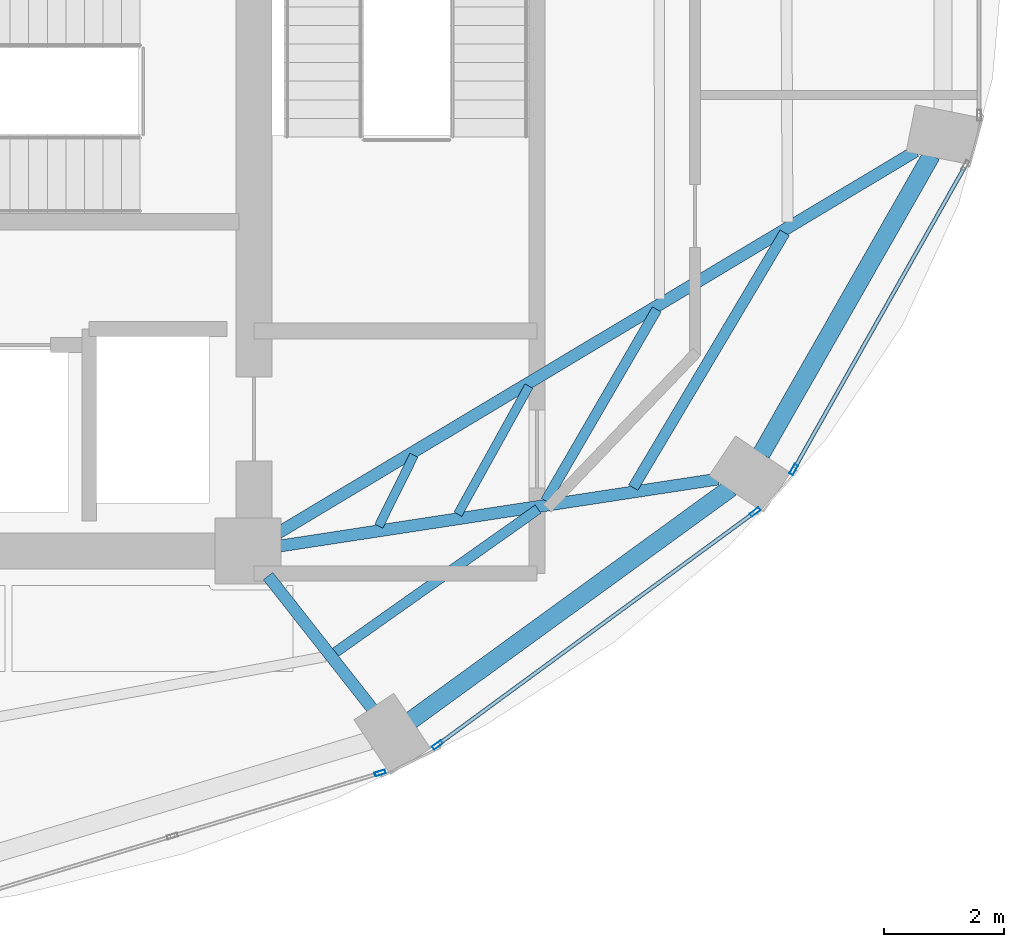
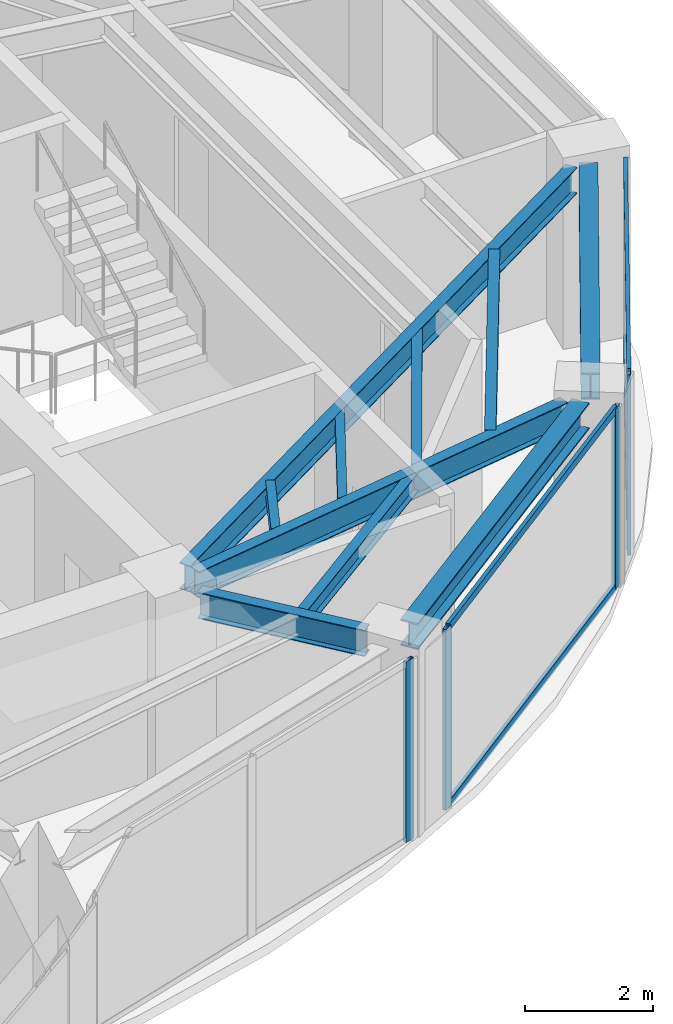
# One storey, part 13 of 23: 10 beams, 8 members, 3 elements without a shape of their own.
"""IFC4 building model written with IfcOpenShell, lengths in metres."""

from ifc_helpers import new_model, si_unit, direction, frame, origin, origin_2d, place, context, subcontext, project, spatial, hollow_rectangle, i_section, extrude, material, layer, layer_set, material_profile, profile_set, type_object, element, aggregate, save


model = new_model("IFC4")

# Units and contexts
model_context = context("Model", 3, precision=1e-05, world=origin(), true_north=direction((0.0, 1.0)))
body_context = subcontext(model_context, "Body", "Model", "MODEL_VIEW")
ifc_project = project(units=[si_unit("LENGTHUNIT", "METRE"), si_unit("AREAUNIT", "SQUARE_METRE"), si_unit("VOLUMEUNIT", "CUBIC_METRE"), si_unit("PLANEANGLEUNIT", "RADIAN"), si_unit("MASSUNIT", "GRAM", prefix="KILO")], contexts=[model_context])

# Site, building, storey
site_placement = place(None, origin())
site = spatial("IfcSite", under=ifc_project, at=site_placement, CompositionType="ELEMENT")
building_placement = place(site_placement, origin())
building = spatial("IfcBuilding", under=site, at=building_placement, Name="Lazwardi Medical Tower", CompositionType="ELEMENT")
storey_placement = place(building_placement, frame((0.0, 0.0, 209.424072265625)))
storey = spatial("IfcBuildingStorey", under=building, at=storey_placement, Name="L54", CompositionType="ELEMENT", Elevation=209.424072265625)

# Beams
ifc_material_1 = material(Name="Steel S355", Category="steel")
ifc_material_profile_1 = material_profile(ifc_material_1, i_section(OverallWidth=0.300048828125, OverallDepth=0.5, WebThickness=0.014404296875, FlangeThickness=0.028076171875, at=origin_2d()), Name="HEB 500")
ifc_profile_set_1 = profile_set([ifc_material_profile_1], Name="Steel S355")
beam_type_1 = type_object("IfcBeamType", Name="BM-RB-Z4", PredefinedType="BEAM", material=ifc_profile_set_1)
beam_1_placement = place(storey_placement, frame((48.31591796875, 17.5751953125, 3.197998046875), z_axis=(0.808889916254, 0.587960120571, 0.0), x_axis=(-0.587960120571, 0.808889916254, 0.0)))
element("IfcBeam", 1, at=beam_1_placement, inside=storey, type_object=beam_type_1, Name="Ring beam RB-05 B02 L54", PredefinedType="BEAM", context=body_context, shape_type="SweptSolid", body=[
    extrude(i_section(OverallWidth=0.300048828125, OverallDepth=0.5, WebThickness=0.014404296875, FlangeThickness=0.028076171875, at=origin_2d()), origin(), (0.0, 0.0, 1.0), 6.587158203125),
])
beam_2_placement = place(storey_placement, frame((54.15283203125, 22.016357421875, 3.197998046875), z_axis=(0.495125273299, 0.868821594886, 0.0), x_axis=(-0.868821594886, 0.495125273299, 0.0)))
element("IfcBeam", 2, at=beam_2_placement, inside=storey, type_object=beam_type_1, Name="Ring beam RB-05 B03 L54", PredefinedType="BEAM", context=body_context, shape_type="SweptSolid", body=[
    extrude(i_section(OverallWidth=0.300048828125, OverallDepth=0.5, WebThickness=0.014404296875, FlangeThickness=0.028076171875, at=origin_2d()), origin(), (0.0, 0.0, 1.0), 5.734130859375),
])
ifc_material_profile_2 = material_profile(ifc_material_1, i_section(OverallWidth=0.199951171875, OverallDepth=0.5, WebThickness=0.01025390625, FlangeThickness=0.01611328125, at=origin_2d()), Name="IPE 500")
ifc_profile_set_2 = profile_set([ifc_material_profile_2], Name="Steel S355")
beam_type_2 = type_object("IfcBeamType", Name="BM-RG-W3", PredefinedType="BEAM", material=ifc_profile_set_2)
beam_3_placement = place(storey_placement, frame((47.669677734375, 17.7666015625, 3.197998046875), z_axis=(-0.617890508382, 0.786264153864, 0.0), x_axis=(-0.786264153864, -0.617890508382, 0.0)))
element("IfcBeam", 3, at=beam_3_placement, inside=storey, type_object=beam_type_2, Name="Radial girder RG-04 R02 L54", PredefinedType="BEAM", context=body_context, shape_type="SweptSolid", body=[
    extrude(i_section(OverallWidth=0.199951171875, OverallDepth=0.5, WebThickness=0.01025390625, FlangeThickness=0.01611328125, at=origin_2d()), origin(), (0.0, 0.0, 1.0), 2.814453125),
])
beam_4_placement = place(storey_placement, frame((53.430908203125, 21.5966796875, 3.197998046875), z_axis=(-0.988522137285, -0.151076087115, 0.0), x_axis=(0.151076087115, -0.988522137285, 0.0)))
element("IfcBeam", 4, at=beam_4_placement, inside=storey, type_object=beam_type_2, Name="Radial girder RG-04 R03 L54", PredefinedType="BEAM", context=body_context, shape_type="SweptSolid", body=[
    extrude(i_section(OverallWidth=0.199951171875, OverallDepth=0.5, WebThickness=0.01025390625, FlangeThickness=0.01611328125, at=origin_2d()), origin(), (0.0, 0.0, 1.0), 7.38671875),
])
beam_5_placement = place(storey_placement, frame((56.72607421875, 27.062255859375, 3.197998046875), z_axis=(-0.857944804603, -0.513741873176, 0.0), x_axis=(0.513741873176, -0.857944804603, 0.0)))
element("IfcBeam", 5, at=beam_5_placement, inside=storey, type_object=beam_type_2, Name="Radial girder RG-04 R04 L54", PredefinedType="BEAM", context=body_context, shape_type="SweptSolid", body=[
    extrude(i_section(OverallWidth=0.199951171875, OverallDepth=0.5, WebThickness=0.01025390625, FlangeThickness=0.01611328125, at=origin_2d()), origin(), (0.0, 0.0, 1.0), 12.43310546875),
])
ifc_material_profile_3 = material_profile(ifc_material_1, i_section(OverallWidth=0.179931640625, OverallDepth=0.39990234375, WebThickness=0.008544921875, FlangeThickness=0.013427734375, at=origin_2d()), Name="IPE 400")
ifc_profile_set_3 = profile_set([ifc_material_profile_3], Name="Steel S355")
beam_type_3 = type_object("IfcBeamType", Name="BM-SJ-01", PredefinedType="JOIST", material=ifc_profile_set_3)
beam_6_placement = place(storey_placement, frame((52.01904296875, 21.455078125, 3.248046875), z_axis=(0.510967866251, 0.859599813668, 0.0), x_axis=(-0.859599813668, 0.510967866251, 0.0)))
element("IfcBeam", 6, at=beam_6_placement, inside=storey, type_object=beam_type_3, Name="Secondary joist SJ-01 R1 B03 L54", PredefinedType="JOIST", context=body_context, shape_type="SweptSolid", body=[
    extrude(i_section(OverallWidth=0.179931640625, OverallDepth=0.39990234375, WebThickness=0.008544921875, FlangeThickness=0.013427734375, at=origin_2d()), origin(), (0.0, 0.0, 1.0), 4.94189453125),
])
ifc_material_profile_4 = material_profile(ifc_material_1, i_section(OverallWidth=0.169921875, OverallDepth=0.360107421875, WebThickness=0.008056640625, FlangeThickness=0.0126953125, at=origin_2d()), Name="IPE 360")
ifc_profile_set_4 = profile_set([ifc_material_profile_4], Name="Steel S355")
beam_type_4 = type_object("IfcBeamType", Name="BM-SJ-02", PredefinedType="JOIST", material=ifc_profile_set_4)
beam_7_placement = place(storey_placement, frame((47.051513671875, 18.70654296875, 3.267822265625), z_axis=(0.816711190406, 0.577046645832, 0.0), x_axis=(-0.577046645832, 0.816711190406, 0.0)))
element("IfcBeam", 7, at=beam_7_placement, inside=storey, type_object=beam_type_4, Name="Secondary joist SJ-02 R2 B02 L54", PredefinedType="JOIST", context=body_context, shape_type="SweptSolid", body=[
    extrude(i_section(OverallWidth=0.169921875, OverallDepth=0.360107421875, WebThickness=0.008056640625, FlangeThickness=0.0126953125, at=origin_2d()), origin(), (0.0, 0.0, 1.0), 4.139892578125),
])
beam_8_placement = place(storey_placement, frame((50.5576171875, 21.232421875, 3.267822265625), z_axis=(0.50218018565, 0.864763008657, 0.0), x_axis=(-0.864763008657, 0.50218018565, 0.0)))
element("IfcBeam", 8, at=beam_8_placement, inside=storey, type_object=beam_type_4, Name="Secondary joist SJ-02 R2 B03 L54", PredefinedType="JOIST", context=body_context, shape_type="SweptSolid", body=[
    extrude(i_section(OverallWidth=0.169921875, OverallDepth=0.360107421875, WebThickness=0.008056640625, FlangeThickness=0.0126953125, at=origin_2d()), origin(), (0.0, 0.0, 1.0), 3.69189453125),
])
ifc_material_profile_5 = material_profile(ifc_material_1, i_section(OverallWidth=0.14990234375, OverallDepth=0.300048828125, WebThickness=0.007080078125, FlangeThickness=0.0107421875, at=origin_2d()), Name="IPE 300")
ifc_profile_set_5 = profile_set([ifc_material_profile_5], Name="Steel S355")
beam_type_5 = type_object("IfcBeamType", Name="BM-SJ-03", PredefinedType="JOIST", material=ifc_profile_set_5)
beam_9_placement = place(storey_placement, frame((49.095703125, 21.01025390625, 3.2978515625), z_axis=(0.484751625998, 0.874651851363, 0.0), x_axis=(-0.874651851363, 0.484751625998, 0.0)))
element("IfcBeam", 9, at=beam_9_placement, inside=storey, type_object=beam_type_5, Name="Secondary joist SJ-03 R3 B03 L54", PredefinedType="JOIST", context=body_context, shape_type="SweptSolid", body=[
    extrude(i_section(OverallWidth=0.14990234375, OverallDepth=0.300048828125, WebThickness=0.007080078125, FlangeThickness=0.0107421875, at=origin_2d()), origin(), (0.0, 0.0, 1.0), 2.442626953125),
])
beam_10_placement = place(storey_placement, frame((47.777587890625, 20.811279296875, 3.2978515625), z_axis=(0.443587297772, 0.89623116954, 0.0), x_axis=(-0.89623116954, 0.443587297772, 0.0)))
element("IfcBeam", 10, at=beam_10_placement, inside=storey, type_object=beam_type_5, Name="Secondary joist SJ-03 R4 B03 L54", PredefinedType="JOIST", context=body_context, shape_type="SweptSolid", body=[
    extrude(i_section(OverallWidth=0.14990234375, OverallDepth=0.300048828125, WebThickness=0.007080078125, FlangeThickness=0.0107421875, at=origin_2d()), origin(), (0.0, 0.0, 1.0), 1.32080078125),
])

# Curtain wall, member
ifc_material_2 = material(Name="Anodised bronze aluminium and solar control glazing", Category="aluminium")
ifc_layer = layer(ifc_material_2, 0.18994140625)
ifc_layer_set = layer_set([ifc_layer], Name="Anodised bronze aluminium and solar control glazing")
curtain_wall_type = type_object("IfcCurtainWallType", Name="CW-SYS-04", PredefinedType="NOTDEFINED", material=ifc_layer_set)
curtain_wall_1_placement = place(storey_placement, origin())
curtain_wall_1 = element("IfcCurtainWall", 11, at=curtain_wall_1_placement, inside=storey, type_object=curtain_wall_type, Name="L54 Unitised bronze curtain wall CW-04", PredefinedType="NOTDEFINED")
ifc_material_3 = material(Name="Anodised bronze aluminium", Category="aluminium")
ifc_material_profile_6 = material_profile(ifc_material_3, hollow_rectangle(XDim=0.06494140625, YDim=0.179931640625, WallThickness=0.00390625, at=origin_2d()), Name="ALU-MULLION 180x65x4")
ifc_profile_set_6 = profile_set([ifc_material_profile_6], Name="Anodised bronze aluminium")
member_type_1 = type_object("IfcMemberType", Name="CW-MUL-03", PredefinedType="MULLION", material=ifc_profile_set_6)
member_1_placement = place(storey_placement, frame((47.7998046875, 16.696533203125, 0.0), z_axis=(0.0, 0.0, 1.0), x_axis=(-0.290581889515, 0.956850126972, 0.0)))
member_1 = element("IfcMember", 12, at=member_1_placement, type_object=member_type_1, Name="CW-04 mullion 3", PredefinedType="MULLION", context=body_context, shape_type="SweptSolid", body=[
    extrude(hollow_rectangle(XDim=0.06494140625, YDim=0.179931640625, WallThickness=0.00390625, at=origin_2d()), origin(), (0.0, 0.0, 1.0), 3.447998046875),
])
aggregate(curtain_wall_1, [member_1])

# Curtain wall, members
curtain_wall_2_placement = place(storey_placement, origin())
curtain_wall_2 = element("IfcCurtainWall", 13, at=curtain_wall_2_placement, inside=storey, type_object=curtain_wall_type, Name="L54 Unitised bronze curtain wall CW-04", PredefinedType="NOTDEFINED")
member_2_placement = place(storey_placement, frame((48.75537109375, 17.1650390625, 0.0), z_axis=(0.0, 0.0, 1.0), x_axis=(-0.591268230971, 0.806474971121, 0.0)))
member_2 = element("IfcMember", 14, at=member_2_placement, type_object=member_type_1, Name="CW-04 mullion 1", PredefinedType="MULLION", context=body_context, shape_type="SweptSolid", body=[
    extrude(hollow_rectangle(XDim=0.06494140625, YDim=0.179931640625, WallThickness=0.00390625, at=origin_2d()), origin(), (0.0, 0.0, 1.0), 3.447998046875),
])
member_3_placement = place(storey_placement, frame((54.052001953125, 21.04833984375, 0.0), z_axis=(0.0, 0.0, 1.0), x_axis=(-0.591268230971, 0.806474971121, 0.0)))
member_3 = element("IfcMember", 15, at=member_3_placement, type_object=member_type_1, Name="CW-04 mullion 2", PredefinedType="MULLION", context=body_context, shape_type="SweptSolid", body=[
    extrude(hollow_rectangle(XDim=0.06494140625, YDim=0.179931640625, WallThickness=0.00390625, at=origin_2d()), origin(), (0.0, 0.0, 1.0), 3.447998046875),
])

# Curtain wall, member
curtain_wall_3_placement = place(storey_placement, origin())
curtain_wall_3 = element("IfcCurtainWall", 16, at=curtain_wall_3_placement, inside=storey, type_object=curtain_wall_type, Name="L54 Unitised bronze curtain wall CW-04", PredefinedType="NOTDEFINED")
member_4_placement = place(storey_placement, frame((54.6943359375, 21.75439453125, 0.0), z_axis=(0.0, 0.0, 1.0), x_axis=(-0.870651436011, 0.491900474661, 0.0)))
member_4 = element("IfcMember", 17, at=member_4_placement, type_object=member_type_1, Name="CW-04 mullion 1", PredefinedType="MULLION", context=body_context, shape_type="SweptSolid", body=[
    extrude(hollow_rectangle(XDim=0.06494140625, YDim=0.179931640625, WallThickness=0.00390625, at=origin_2d()), origin(), (0.0, 0.0, 1.0), 3.447998046875),
])

# Member
ifc_material_profile_7 = material_profile(ifc_material_3, hollow_rectangle(XDim=0.06494140625, YDim=0.139892578125, WallThickness=0.00341796875, at=origin_2d()), Name="ALU-TRANSOM 140x65x3.5")
ifc_profile_set_7 = profile_set([ifc_material_profile_7], Name="Anodised bronze aluminium")
member_type_2 = type_object("IfcMemberType", Name="CW-TRN-03", PredefinedType="USERDEFINED", material=ifc_profile_set_7)
member_5_placement = place(storey_placement, frame((48.781494140625, 17.184326171875, 0.032470703125), z_axis=(0.80648973359, 0.591248094808, 0.0), x_axis=(-0.591248094808, 0.80648973359, 0.0)))
member_5 = element("IfcMember", 18, at=member_5_placement, type_object=member_type_2, Name="CW-04 transom 1.1", ObjectType="TRANSOM", PredefinedType="USERDEFINED", context=body_context, shape_type="SweptSolid", body=[
    extrude(hollow_rectangle(XDim=0.06494140625, YDim=0.139892578125, WallThickness=0.00341796875, at=origin_2d()), origin(), (0.0, 0.0, 1.0), 6.502685546875),
])

member_6_placement = place(storey_placement, frame((48.781494140625, 17.184326171875, 3.41552734375), z_axis=(0.80648973359, 0.591248094808, 0.0), x_axis=(-0.591248094808, 0.80648973359, 0.0)))
member_6 = element("IfcMember", 19, at=member_6_placement, type_object=member_type_2, Name="CW-04 transom 1.2", ObjectType="TRANSOM", PredefinedType="USERDEFINED", context=body_context, shape_type="SweptSolid", body=[
    extrude(hollow_rectangle(XDim=0.06494140625, YDim=0.139892578125, WallThickness=0.00341796875, at=origin_2d()), origin(), (0.0, 0.0, 1.0), 6.502685546875),
])

aggregate(curtain_wall_2, [member_2, member_3, member_5, member_6])

member_7_placement = place(storey_placement, frame((54.71044921875, 21.78271484375, 0.032470703125), z_axis=(0.491879719484, 0.87066316194, 0.0), x_axis=(-0.87066316194, 0.491879719484, 0.0)))
member_7 = element("IfcMember", 20, at=member_7_placement, type_object=member_type_2, Name="CW-04 transom 1.1", ObjectType="TRANSOM", PredefinedType="USERDEFINED", context=body_context, shape_type="SweptSolid", body=[
    extrude(hollow_rectangle(XDim=0.06494140625, YDim=0.139892578125, WallThickness=0.00341796875, at=origin_2d()), origin(), (0.0, 0.0, 1.0), 5.755126953125),
])

member_8_placement = place(storey_placement, frame((54.71044921875, 21.78271484375, 3.41552734375), z_axis=(0.491879719484, 0.87066316194, 0.0), x_axis=(-0.87066316194, 0.491879719484, 0.0)))
member_8 = element("IfcMember", 21, at=member_8_placement, type_object=member_type_2, Name="CW-04 transom 1.2", ObjectType="TRANSOM", PredefinedType="USERDEFINED", context=body_context, shape_type="SweptSolid", body=[
    extrude(hollow_rectangle(XDim=0.06494140625, YDim=0.139892578125, WallThickness=0.00341796875, at=origin_2d()), origin(), (0.0, 0.0, 1.0), 5.755126953125),
])

aggregate(curtain_wall_3, [member_4, member_7, member_8])

save(model, "model.ifc")
